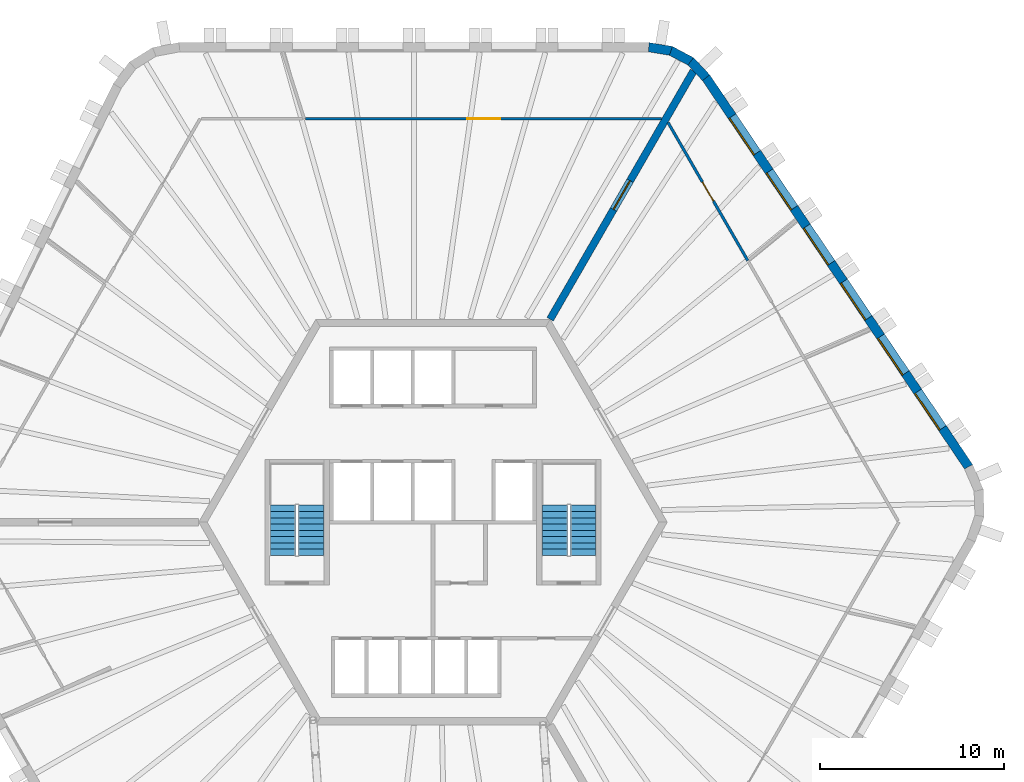
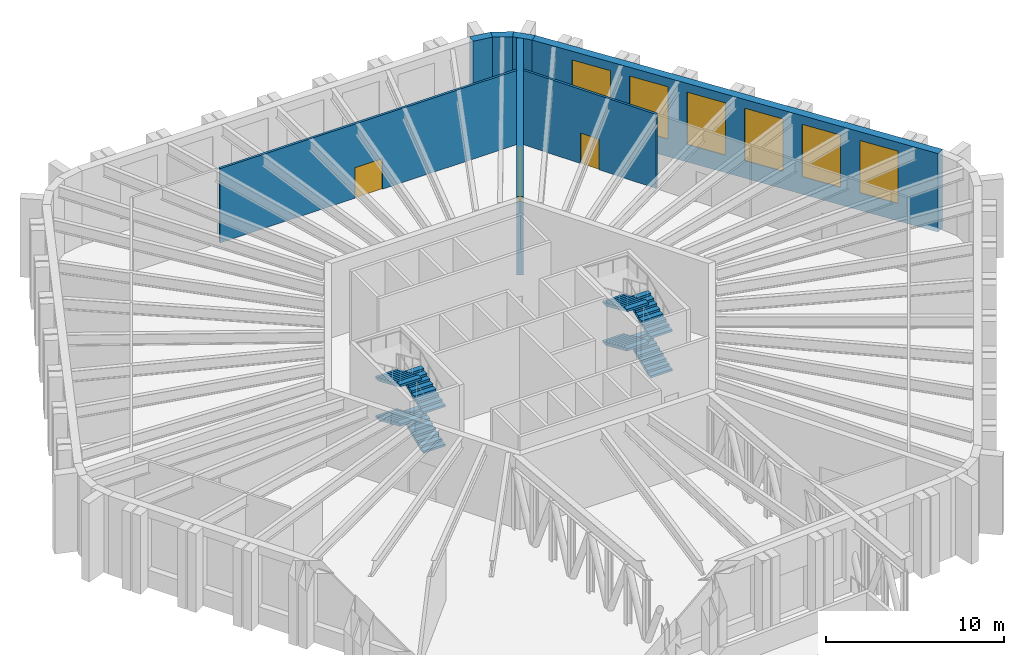
# One storey, part 7 of 9: 8 stair flights, 7 walls, 6 windows, 3 doors, 9 openings, 2 elements without a shape of their own.
"""IFC4 building model written with IfcOpenShell, lengths in metres."""

from ifc_helpers import new_model, si_unit, direction, frame, frame_2d, origin, place, context, subcontext, project, spatial, polyline, rectangle, outline, extrude, material, layer, layer_set, type_object, element, fill, aggregate, save


model = new_model("IFC4")

# Units and contexts
model_context = context("Model", 3, precision=1e-05, world=origin(), true_north=direction((0.0, 1.0)))
body_context = subcontext(model_context, "Body", "Model", "MODEL_VIEW")
ifc_project = project(units=[si_unit("LENGTHUNIT", "METRE"), si_unit("AREAUNIT", "SQUARE_METRE"), si_unit("VOLUMEUNIT", "CUBIC_METRE"), si_unit("PLANEANGLEUNIT", "RADIAN"), si_unit("MASSUNIT", "GRAM", prefix="KILO")], contexts=[model_context])

# Site, building, storey
site_placement = place(None, origin())
site = spatial("IfcSite", under=ifc_project, at=site_placement, CompositionType="ELEMENT")
building_placement = place(site_placement, origin())
building = spatial("IfcBuilding", under=site, at=building_placement, Name="Tarnside Tower", CompositionType="ELEMENT")
storey_placement = place(building_placement, frame((0.0, 0.0, 338.10009765625)))
storey = spatial("IfcBuildingStorey", under=building, at=storey_placement, Name="L82", CompositionType="ELEMENT", Elevation=338.10009765625)

# Wall, opening, door
ifc_material_1 = material(Name="Concrete C60/75", Category="concrete")
ifc_layer_1 = layer(ifc_material_1, 0.39990234375)
ifc_layer_set_1 = layer_set([ifc_layer_1], Name="Core wall Z3 400 C60/75")
wall_type_1 = type_object("IfcWallType", Name="Core wall Z3 400 C60/75", PredefinedType="SHEAR", material=ifc_layer_set_1)
wall_1_placement = place(storey_placement, frame((6.350830078125, 11.0, -0.300048828125), z_axis=(0.0, 0.0, 1.0), x_axis=(0.499998894578, 0.866026041999, 0.0)))
wall_1 = element("IfcWall", 1, at=wall_1_placement, inside=storey, type_object=wall_type_1, Name="L82 spine wall 1", PredefinedType="SHEAR", context=body_context, shape_type="SweptSolid", body=[
    extrude(rectangle(XDim=15.54443359375, YDim=0.39990234375, at=frame_2d((7.772216796875, 0.0))), origin(), (0.0, 0.0, 1.0), 5.39990234375),
])
opening_1_placement = place(wall_1_placement, frame((6.872314453125, 0.0, 0.300048828125)))
opening_1 = element("IfcOpeningElement", 2, at=opening_1_placement, cuts=wall_1, Name="Opening CD-SPN", PredefinedType="OPENING", context=body_context, shape_type="SweptSolid", body=[
    extrude(rectangle(XDim=1.800048828125, YDim=2.39990234375, at=frame_2d((0.89990234375, 1.199951171875))), frame((0.0, 0.2099609375, 0.0), z_axis=(0.0, -1.0, 0.0), x_axis=(1.0, 0.0, 0.0)), (0.0, 0.0, 1.0), 0.419921875),
])
ifc_material_2 = material(Name="Steel fire door", Category="steel")
door_type_1 = type_object("IfcDoorType", Name="Spine passage double door FD60 1800x2400", OperationType="NOTDEFINED", PredefinedType="DOOR", material=ifc_material_2)
door_1_placement = place(opening_1_placement, origin())
door_1 = element("IfcDoor", 3, at=door_1_placement, inside=storey, type_object=door_type_1, Name="L82 spine passage door 1", OperationType="DOUBLE_DOOR_SINGLE_SWING", OverallHeight=2.39990234375, OverallWidth=1.800048828125, PredefinedType="DOOR", context=body_context, shape_type="SweptSolid", body=[
    extrude(rectangle(XDim=1.800048828125, YDim=2.39990234375, at=frame_2d((0.89990234375, 1.199951171875))), frame((0.0, 0.02490234375, 0.0), z_axis=(0.0, -1.0, 0.0), x_axis=(1.0, 0.0, 0.0)), (0.0, 0.0, 1.0), 0.050048828125),
])
fill(opening_1, door_1)

ifc_material_3 = material(Name="Gypsum board")
ifc_layer_2 = layer(ifc_material_3, 0.14990234375)
ifc_layer_set_2 = layer_set([ifc_layer_2], Name="Partition 150 gypsum board on metal stud")
wall_type_2 = type_object("IfcWallType", Name="Partition 150 gypsum board on metal stud", PredefinedType="PARTITIONING", material=ifc_layer_set_2)
wall_2_placement = place(storey_placement, frame((-6.90625, 21.8701171875, 0.0), z_axis=(0.0, 0.0, 1.0), x_axis=(1.0, 0.0, 0.0)))
wall_2 = element("IfcWall", 4, at=wall_2_placement, inside=storey, type_object=wall_type_2, Name="Partition 018", PredefinedType="PARTITIONING", context=body_context, shape_type="SweptSolid", body=[
    extrude(rectangle(XDim=19.30224609375, YDim=0.14990234375, at=frame_2d((9.651123046875, 0.0))), origin(), (0.0, 0.0, 1.0), 5.099853515625),
])
opening_2_placement = place(wall_2_placement, frame((8.751220703125, 0.0, 0.0)))
opening_2 = element("IfcOpeningElement", 5, at=opening_2_placement, cuts=wall_2, Name="Opening D1800F30", PredefinedType="OPENING", context=body_context, shape_type="SweptSolid", body=[
    extrude(rectangle(XDim=1.800048828125, YDim=2.10009765625, at=frame_2d((0.89990234375, 1.050048828125))), frame((0.0, 0.0849609375, 0.0), z_axis=(0.0, -1.0, 0.0), x_axis=(1.0, 0.0, 0.0)), (0.0, 0.0, 1.0), 0.169921875),
])
ifc_material_4 = material(Name="Timber door leaf", Category="wood")
door_type_2 = type_object("IfcDoorType", Name="Door pair 1800 x 2100 FD30S fire door", OperationType="NOTDEFINED", PredefinedType="DOOR", material=ifc_material_4)
door_2_placement = place(opening_2_placement, origin())
door_2 = element("IfcDoor", 6, at=door_2_placement, inside=storey, type_object=door_type_2, Name="Door L82-08", OperationType="DOUBLE_DOOR_SINGLE_SWING", OverallHeight=2.10009765625, OverallWidth=1.800048828125, PredefinedType="DOOR", context=body_context, shape_type="SweptSolid", body=[
    extrude(rectangle(XDim=1.800048828125, YDim=2.10009765625, at=frame_2d((0.89990234375, 1.050048828125))), frame((0.0, 0.02490234375, 0.0), z_axis=(0.0, -1.0, 0.0), x_axis=(1.0, 0.0, 0.0)), (0.0, 0.0, 1.0), 0.050048828125),
])
fill(opening_2, door_2)

wall_3_placement = place(storey_placement, frame((12.741943359375, 21.669921875, 0.0), z_axis=(0.0, 0.0, 1.0), x_axis=(0.500047259291, -0.865998116901, 0.0)))
wall_3 = element("IfcWall", 7, at=wall_3_placement, inside=storey, type_object=wall_type_2, Name="Partition 020", PredefinedType="PARTITIONING", context=body_context, shape_type="SweptSolid", body=[
    extrude(rectangle(XDim=8.653564453125, YDim=0.14990234375, at=frame_2d((4.32666015625, 0.0))), origin(), (0.0, 0.0, 1.0), 5.099853515625),
])
opening_3_placement = place(wall_3_placement, frame((3.726806640625, 0.0, 0.0)))
opening_3 = element("IfcOpeningElement", 8, at=opening_3_placement, cuts=wall_3, Name="Opening D1200F30", PredefinedType="OPENING", context=body_context, shape_type="SweptSolid", body=[
    extrude(rectangle(XDim=1.199951171875, YDim=2.10009765625, at=frame_2d((0.60009765625, 1.050048828125))), frame((0.0, 0.0849609375, 0.0), z_axis=(0.0, -1.0, 0.0), x_axis=(1.0, 0.0, 0.0)), (0.0, 0.0, 1.0), 0.169921875),
])
door_type_3 = type_object("IfcDoorType", Name="Door 1200 x 2100 single leaf FD30S fire door", OperationType="NOTDEFINED", PredefinedType="DOOR", material=ifc_material_4)
door_3_placement = place(opening_3_placement, origin())
door_3 = element("IfcDoor", 9, at=door_3_placement, inside=storey, type_object=door_type_3, Name="Door L82-10", OperationType="SINGLE_SWING_LEFT", OverallHeight=2.10009765625, OverallWidth=1.199951171875, PredefinedType="DOOR", context=body_context, shape_type="SweptSolid", body=[
    extrude(rectangle(XDim=1.199951171875, YDim=2.10009765625, at=frame_2d((0.60009765625, 1.050048828125))), frame((0.0, 0.02490234375, 0.0), z_axis=(0.0, -1.0, 0.0), x_axis=(1.0, 0.0, 0.0)), (0.0, 0.0, 1.0), 0.050048828125),
])
fill(opening_3, door_3)

# Wall, openings, windows
ifc_material_5 = material(Name="Facing brick", Category="masonry")
ifc_layer_3 = layer(ifc_material_5, 0.10205078125)
ifc_material_6 = material(Name="Concrete C60/75 precast", Category="concrete")
ifc_layer_4 = layer(ifc_material_6, 0.298095703125)
ifc_material_7 = material(Name="Mineral wool insulation")
ifc_layer_5 = layer(ifc_material_7, 0.10009765625)
ifc_layer_set_3 = layer_set([ifc_layer_3, ifc_layer_4, ifc_layer_5], Name="Tube wall 500 brick faced")
wall_type_3 = type_object("IfcWallType", Name="Tube wall 500 brick faced", PredefinedType="SOLIDWALL", material=ifc_layer_set_3)
wall_4_placement = place(storey_placement, frame((29.034912109375, 3.00244140625, -0.300048828125), z_axis=(0.0, 0.0, 1.0), x_axis=(-0.559195809204, 0.829035612606, 0.0)))
wall_4 = element("IfcWall", 10, at=wall_4_placement, inside=storey, type_object=wall_type_3, Name="Tube wall L82 F6 flush 20", PredefinedType="SOLIDWALL", context=body_context, shape_type="SweptSolid", body=[
    extrude(outline(polyline([(-0.0234375, -0.25), (25.465087890625, -0.25), (25.424072265625, 0.25), (0.0234375, 0.25), (-0.0234375, -0.25)])), origin(), (0.0, 0.0, 1.0), 5.39990234375),
])
opening_4_placement = place(wall_4_placement, frame((2.5224609375, 0.0, 1.199951171875)))
opening_4 = element("IfcOpeningElement", 11, at=opening_4_placement, cuts=wall_4, Name="Opening WA", PredefinedType="OPENING", context=body_context, shape_type="SweptSolid", body=[
    extrude(rectangle(XDim=2.39990234375, YDim=3.60009765625, at=frame_2d((1.199951171875, 1.800048828125))), frame((0.0, 0.260009765625, 0.0), z_axis=(0.0, -1.0, 0.0), x_axis=(1.0, 0.0, 0.0)), (0.0, 0.0, 1.0), 0.52001953125),
])
opening_5_placement = place(wall_4_placement, frame((6.122314453125, 0.0, 1.199951171875)))
opening_5 = element("IfcOpeningElement", 12, at=opening_5_placement, cuts=wall_4, Name="Opening WA", PredefinedType="OPENING", context=body_context, shape_type="SweptSolid", body=[
    extrude(rectangle(XDim=2.39990234375, YDim=3.60009765625, at=frame_2d((1.199951171875, 1.800048828125))), frame((0.0, 0.260009765625, 0.0), z_axis=(0.0, -1.0, 0.0), x_axis=(1.0, 0.0, 0.0)), (0.0, 0.0, 1.0), 0.52001953125),
])
opening_6_placement = place(wall_4_placement, frame((9.722412109375, 0.0, 1.199951171875)))
opening_6 = element("IfcOpeningElement", 13, at=opening_6_placement, cuts=wall_4, Name="Opening WA", PredefinedType="OPENING", context=body_context, shape_type="SweptSolid", body=[
    extrude(rectangle(XDim=2.39990234375, YDim=3.60009765625, at=frame_2d((1.199951171875, 1.800048828125))), frame((0.0, 0.260009765625, 0.0), z_axis=(0.0, -1.0, 0.0), x_axis=(1.0, 0.0, 0.0)), (0.0, 0.0, 1.0), 0.52001953125),
])
opening_7_placement = place(wall_4_placement, frame((13.322509765625, 0.0, 1.199951171875)))
opening_7 = element("IfcOpeningElement", 14, at=opening_7_placement, cuts=wall_4, Name="Opening WA", PredefinedType="OPENING", context=body_context, shape_type="SweptSolid", body=[
    extrude(rectangle(XDim=2.39990234375, YDim=3.60009765625, at=frame_2d((1.199951171875, 1.800048828125))), frame((0.0, 0.260009765625, 0.0), z_axis=(0.0, -1.0, 0.0), x_axis=(1.0, 0.0, 0.0)), (0.0, 0.0, 1.0), 0.52001953125),
])
opening_8_placement = place(wall_4_placement, frame((16.92236328125, 0.0, 1.199951171875)))
opening_8 = element("IfcOpeningElement", 15, at=opening_8_placement, cuts=wall_4, Name="Opening WA", PredefinedType="OPENING", context=body_context, shape_type="SweptSolid", body=[
    extrude(rectangle(XDim=2.39990234375, YDim=3.60009765625, at=frame_2d((1.199951171875, 1.800048828125))), frame((0.0, 0.260009765625, 0.0), z_axis=(0.0, -1.0, 0.0), x_axis=(1.0, 0.0, 0.0)), (0.0, 0.0, 1.0), 0.52001953125),
])
opening_9_placement = place(wall_4_placement, frame((20.5224609375, 0.0, 1.199951171875)))
opening_9 = element("IfcOpeningElement", 16, at=opening_9_placement, cuts=wall_4, Name="Opening WA", PredefinedType="OPENING", context=body_context, shape_type="SweptSolid", body=[
    extrude(rectangle(XDim=2.39990234375, YDim=3.60009765625, at=frame_2d((1.199951171875, 1.800048828125))), frame((0.0, 0.260009765625, 0.0), z_axis=(0.0, -1.0, 0.0), x_axis=(1.0, 0.0, 0.0)), (0.0, 0.0, 1.0), 0.52001953125),
])
ifc_material_8 = material(Name="Aluminium-framed double glazing", Category="aluminium")
window_type = type_object("IfcWindowType", Name="Amenity window 2400 x 3600", PartitioningType="DOUBLE_PANEL_VERTICAL", PredefinedType="WINDOW", material=ifc_material_8)
window_1_placement = place(opening_4_placement, frame((0.0, 0.179931640625, 0.0)))
window_1 = element("IfcWindow", 17, at=window_1_placement, inside=storey, type_object=window_type, Name="E.WN.L82.F6.00", OverallHeight=3.60009765625, OverallWidth=2.39990234375, PartitioningType="DOUBLE_PANEL_VERTICAL", PredefinedType="WINDOW", context=body_context, shape_type="SweptSolid", body=[
    extrude(rectangle(XDim=2.39990234375, YDim=3.60009765625, at=frame_2d((1.199951171875, 1.800048828125))), frame((0.0, 0.030029296875, 0.0), z_axis=(0.0, -1.0, 0.0), x_axis=(1.0, 0.0, 0.0)), (0.0, 0.0, 1.0), 0.06005859375),
])
fill(opening_4, window_1)
window_2_placement = place(opening_5_placement, frame((0.0, 0.179931640625, 0.0)))
window_2 = element("IfcWindow", 18, at=window_2_placement, inside=storey, type_object=window_type, Name="E.WN.L82.F6.01", OverallHeight=3.60009765625, OverallWidth=2.39990234375, PartitioningType="DOUBLE_PANEL_VERTICAL", PredefinedType="WINDOW", context=body_context, shape_type="SweptSolid", body=[
    extrude(rectangle(XDim=2.39990234375, YDim=3.60009765625, at=frame_2d((1.199951171875, 1.800048828125))), frame((0.0, 0.030029296875, 0.0), z_axis=(0.0, -1.0, 0.0), x_axis=(1.0, 0.0, 0.0)), (0.0, 0.0, 1.0), 0.06005859375),
])
fill(opening_5, window_2)
window_3_placement = place(opening_6_placement, frame((0.0, 0.179931640625, 0.0)))
window_3 = element("IfcWindow", 19, at=window_3_placement, inside=storey, type_object=window_type, Name="E.WN.L82.F6.02", OverallHeight=3.60009765625, OverallWidth=2.39990234375, PartitioningType="DOUBLE_PANEL_VERTICAL", PredefinedType="WINDOW", context=body_context, shape_type="SweptSolid", body=[
    extrude(rectangle(XDim=2.39990234375, YDim=3.60009765625, at=frame_2d((1.199951171875, 1.800048828125))), frame((0.0, 0.030029296875, 0.0), z_axis=(0.0, -1.0, 0.0), x_axis=(1.0, 0.0, 0.0)), (0.0, 0.0, 1.0), 0.06005859375),
])
fill(opening_6, window_3)
window_4_placement = place(opening_7_placement, frame((0.0, 0.179931640625, 0.0)))
window_4 = element("IfcWindow", 20, at=window_4_placement, inside=storey, type_object=window_type, Name="E.WN.L82.F6.03", OverallHeight=3.60009765625, OverallWidth=2.39990234375, PartitioningType="DOUBLE_PANEL_VERTICAL", PredefinedType="WINDOW", context=body_context, shape_type="SweptSolid", body=[
    extrude(rectangle(XDim=2.39990234375, YDim=3.60009765625, at=frame_2d((1.199951171875, 1.800048828125))), frame((0.0, 0.030029296875, 0.0), z_axis=(0.0, -1.0, 0.0), x_axis=(1.0, 0.0, 0.0)), (0.0, 0.0, 1.0), 0.06005859375),
])
fill(opening_7, window_4)
window_5_placement = place(opening_8_placement, frame((0.0, 0.179931640625, 0.0)))
window_5 = element("IfcWindow", 21, at=window_5_placement, inside=storey, type_object=window_type, Name="E.WN.L82.F6.04", OverallHeight=3.60009765625, OverallWidth=2.39990234375, PartitioningType="DOUBLE_PANEL_VERTICAL", PredefinedType="WINDOW", context=body_context, shape_type="SweptSolid", body=[
    extrude(rectangle(XDim=2.39990234375, YDim=3.60009765625, at=frame_2d((1.199951171875, 1.800048828125))), frame((0.0, 0.030029296875, 0.0), z_axis=(0.0, -1.0, 0.0), x_axis=(1.0, 0.0, 0.0)), (0.0, 0.0, 1.0), 0.06005859375),
])
fill(opening_8, window_5)
window_6_placement = place(opening_9_placement, frame((0.0, 0.179931640625, 0.0)))
window_6 = element("IfcWindow", 22, at=window_6_placement, inside=storey, type_object=window_type, Name="E.WN.L82.F6.05", OverallHeight=3.60009765625, OverallWidth=2.39990234375, PartitioningType="DOUBLE_PANEL_VERTICAL", PredefinedType="WINDOW", context=body_context, shape_type="SweptSolid", body=[
    extrude(rectangle(XDim=2.39990234375, YDim=3.60009765625, at=frame_2d((1.199951171875, 1.800048828125))), frame((0.0, 0.030029296875, 0.0), z_axis=(0.0, -1.0, 0.0), x_axis=(1.0, 0.0, 0.0)), (0.0, 0.0, 1.0), 0.06005859375),
])
fill(opening_9, window_6)

# Walls
wall_5_placement = place(storey_placement, frame((14.806396484375, 24.096923828125, -0.300048828125), z_axis=(0.0, 0.0, 1.0), x_axis=(-0.686234452793, 0.727380420275, 0.0)))
element("IfcWall", 23, at=wall_5_placement, inside=storey, type_object=wall_type_3, Name="Tube wall L82 F6 chord 21", PredefinedType="SOLIDWALL", context=body_context, shape_type="SweptSolid", body=[
    extrude(outline(polyline([(-0.0205078125, -0.25), (1.25732421875, -0.25), (1.17529296875, 0.25), (0.0205078125, 0.25), (-0.0205078125, -0.25)])), origin(), (0.0, 0.0, 1.0), 5.39990234375),
])
wall_6_placement = place(storey_placement, frame((13.9716796875, 24.981689453125, -0.300048828125), z_axis=(0.0, 0.0, 1.0), x_axis=(-0.882902492938, 0.469556373575, 0.0)))
element("IfcWall", 24, at=wall_6_placement, inside=storey, type_object=wall_type_3, Name="Tube wall L82 F6 chord 22", PredefinedType="SOLIDWALL", context=body_context, shape_type="SweptSolid", body=[
    extrude(outline(polyline([(-0.041015625, -0.25), (1.257080078125, -0.25), (1.175048828125, 0.25), (0.041015625, 0.25), (-0.041015625, -0.25)])), origin(), (0.0, 0.0, 1.0), 5.39990234375),
])
wall_7_placement = place(storey_placement, frame((12.89794921875, 25.552734375, -0.300048828125), z_axis=(0.0, 0.0, 1.0), x_axis=(-0.986765617372, 0.16215306464, 0.0)))
element("IfcWall", 25, at=wall_7_placement, inside=storey, type_object=wall_type_3, Name="Tube wall L82 F6 chord 23", PredefinedType="SOLIDWALL", context=body_context, shape_type="SweptSolid", body=[
    extrude(outline(polyline([(-0.041015625, -0.25), (1.237060546875, -0.25), (1.196044921875, 0.25), (0.041015625, 0.25), (-0.041015625, -0.25)])), origin(), (0.0, 0.0, 1.0), 5.39990234375),
])

# Stair, stair flights
ifc_material_9 = material(Name="Concrete C40/50", Category="concrete")
stair_type = type_object("IfcStairType", Name="Exit stair 1400 clear", PredefinedType="HALF_TURN_STAIR", material=ifc_material_9)
stair_1_placement = place(storey_placement, origin())
stair_1 = element("IfcStair", 26, at=stair_1_placement, inside=storey, type_object=stair_type, Name="L82 Exit stair 1", PredefinedType="HALF_TURN_STAIR")
stair_flight_type = type_object("IfcStairFlightType", Name="Exit stair flight 1400", PredefinedType="STRAIGHT", material=ifc_material_9)
stair_flight_1_placement = place(storey_placement, frame((8.14990234375, -1.800048828125, 0.0), z_axis=(0.0, 0.0, 1.0), x_axis=(0.0, 1.0, 0.0)))
stair_flight_1 = element("IfcStairFlight", 27, at=stair_flight_1_placement, type_object=stair_flight_type, Name="ST1 flight 1", NumberOfRisers=9, NumberOfTreads=8, PredefinedType="STRAIGHT", RiserHeight=0.15, TreadLength=0.34, context=body_context, shape_type="SweptSolid", body=[
    extrude(outline(polyline([(0.0, 0.0), (0.0, 0.14990234375), (0.340087890625, 0.14990234375), (0.340087890625, 0.300048828125), (0.679931640625, 0.300048828125), (0.679931640625, 0.449951171875), (1.02001953125, 0.449951171875), (1.02001953125, 0.60009765625), (1.360107421875, 0.60009765625), (1.360107421875, 0.75), (1.699951171875, 0.75), (1.699951171875, 0.89990234375), (2.0400390625, 0.89990234375), (2.0400390625, 1.050048828125), (2.3798828125, 1.050048828125), (2.3798828125, 1.199951171875), (2.719970703125, 1.199951171875), (2.719970703125, 1.35009765625), (2.719970703125, 1.0361328125), (0.371337890625, 0.0), (0.0, 0.0)])), frame((0.0, 0.699951171875, 0.0), z_axis=(0.0, -1.0, 0.0), x_axis=(1.0, 0.0, 0.0)), (0.0, 0.0, 1.0), 1.39990234375),
])
stair_flight_2_placement = place(storey_placement, frame((6.60009765625, 0.919921875, 1.349853515625), z_axis=(0.0, 0.0, 1.0), x_axis=(0.0, -1.0, 0.0)))
stair_flight_2 = element("IfcStairFlight", 28, at=stair_flight_2_placement, type_object=stair_flight_type, Name="ST1 flight 2", NumberOfRisers=9, NumberOfTreads=8, PredefinedType="STRAIGHT", RiserHeight=0.15, TreadLength=0.34, context=body_context, shape_type="SweptSolid", body=[
    extrude(outline(polyline([(0.0, 0.0), (0.0, 0.14990234375), (0.340087890625, 0.14990234375), (0.340087890625, 0.300048828125), (0.679931640625, 0.300048828125), (0.679931640625, 0.449951171875), (1.02001953125, 0.449951171875), (1.02001953125, 0.60009765625), (1.360107421875, 0.60009765625), (1.360107421875, 0.75), (1.699951171875, 0.75), (1.699951171875, 0.89990234375), (2.0400390625, 0.89990234375), (2.0400390625, 1.050048828125), (2.3798828125, 1.050048828125), (2.3798828125, 1.199951171875), (2.719970703125, 1.199951171875), (2.719970703125, 1.35009765625), (2.719970703125, 1.0361328125), (0.371337890625, 0.0), (0.0, 0.0)])), frame((0.0, 0.699951171875, 0.0), z_axis=(0.0, -1.0, 0.0), x_axis=(1.0, 0.0, 0.0)), (0.0, 0.0, 1.0), 1.39990234375),
])
stair_flight_3_placement = place(storey_placement, frame((8.14990234375, -1.800048828125, 2.699951171875), z_axis=(0.0, 0.0, 1.0), x_axis=(0.0, 1.0, 0.0)))
stair_flight_3 = element("IfcStairFlight", 29, at=stair_flight_3_placement, type_object=stair_flight_type, Name="ST1 flight 3", NumberOfRisers=9, NumberOfTreads=8, PredefinedType="STRAIGHT", RiserHeight=0.15, TreadLength=0.34, context=body_context, shape_type="SweptSolid", body=[
    extrude(outline(polyline([(0.0, 0.0), (0.0, 0.14990234375), (0.340087890625, 0.14990234375), (0.340087890625, 0.300048828125), (0.679931640625, 0.300048828125), (0.679931640625, 0.449951171875), (1.02001953125, 0.449951171875), (1.02001953125, 0.60009765625), (1.360107421875, 0.60009765625), (1.360107421875, 0.75), (1.699951171875, 0.75), (1.699951171875, 0.89990234375), (2.0400390625, 0.89990234375), (2.0400390625, 1.050048828125), (2.3798828125, 1.050048828125), (2.3798828125, 1.199951171875), (2.719970703125, 1.199951171875), (2.719970703125, 1.35009765625), (2.719970703125, 1.0361328125), (0.371337890625, 0.0), (0.0, 0.0)])), frame((0.0, 0.699951171875, 0.0), z_axis=(0.0, -1.0, 0.0), x_axis=(1.0, 0.0, 0.0)), (0.0, 0.0, 1.0), 1.39990234375),
])
stair_flight_4_placement = place(storey_placement, frame((6.60009765625, 0.919921875, 4.0498046875), z_axis=(0.0, 0.0, 1.0), x_axis=(0.0, -1.0, 0.0)))
stair_flight_4 = element("IfcStairFlight", 30, at=stair_flight_4_placement, type_object=stair_flight_type, Name="ST1 flight 4", NumberOfRisers=9, NumberOfTreads=8, PredefinedType="STRAIGHT", RiserHeight=0.15, TreadLength=0.34, context=body_context, shape_type="SweptSolid", body=[
    extrude(outline(polyline([(0.0, 0.0), (0.0, 0.14990234375), (0.340087890625, 0.14990234375), (0.340087890625, 0.300048828125), (0.679931640625, 0.300048828125), (0.679931640625, 0.449951171875), (1.02001953125, 0.449951171875), (1.02001953125, 0.60009765625), (1.360107421875, 0.60009765625), (1.360107421875, 0.75), (1.699951171875, 0.75), (1.699951171875, 0.89990234375), (2.0400390625, 0.89990234375), (2.0400390625, 1.050048828125), (2.3798828125, 1.050048828125), (2.3798828125, 1.199951171875), (2.719970703125, 1.199951171875), (2.719970703125, 1.35009765625), (2.719970703125, 1.0361328125), (0.371337890625, 0.0), (0.0, 0.0)])), frame((0.0, 0.699951171875, 0.0), z_axis=(0.0, -1.0, 0.0), x_axis=(1.0, 0.0, 0.0)), (0.0, 0.0, 1.0), 1.39990234375),
])
aggregate(stair_1, [stair_flight_1, stair_flight_2, stair_flight_3, stair_flight_4])

stair_2_placement = place(storey_placement, origin())
stair_2 = element("IfcStair", 31, at=stair_2_placement, inside=storey, type_object=stair_type, Name="L82 Exit stair 2", PredefinedType="HALF_TURN_STAIR")
stair_flight_5_placement = place(storey_placement, frame((-6.60009765625, -1.800048828125, 0.0), z_axis=(0.0, 0.0, 1.0), x_axis=(0.0, 1.0, 0.0)))
stair_flight_5 = element("IfcStairFlight", 32, at=stair_flight_5_placement, type_object=stair_flight_type, Name="ST2 flight 1", NumberOfRisers=9, NumberOfTreads=8, PredefinedType="STRAIGHT", RiserHeight=0.15, TreadLength=0.34, context=body_context, shape_type="SweptSolid", body=[
    extrude(outline(polyline([(0.0, 0.0), (0.0, 0.14990234375), (0.340087890625, 0.14990234375), (0.340087890625, 0.300048828125), (0.679931640625, 0.300048828125), (0.679931640625, 0.449951171875), (1.02001953125, 0.449951171875), (1.02001953125, 0.60009765625), (1.360107421875, 0.60009765625), (1.360107421875, 0.75), (1.699951171875, 0.75), (1.699951171875, 0.89990234375), (2.0400390625, 0.89990234375), (2.0400390625, 1.050048828125), (2.3798828125, 1.050048828125), (2.3798828125, 1.199951171875), (2.719970703125, 1.199951171875), (2.719970703125, 1.35009765625), (2.719970703125, 1.0361328125), (0.371337890625, 0.0), (0.0, 0.0)])), frame((0.0, 0.699951171875, 0.0), z_axis=(0.0, -1.0, 0.0), x_axis=(1.0, 0.0, 0.0)), (0.0, 0.0, 1.0), 1.39990234375),
])
stair_flight_6_placement = place(storey_placement, frame((-8.14990234375, 0.919921875, 1.349853515625), z_axis=(0.0, 0.0, 1.0), x_axis=(0.0, -1.0, 0.0)))
stair_flight_6 = element("IfcStairFlight", 33, at=stair_flight_6_placement, type_object=stair_flight_type, Name="ST2 flight 2", NumberOfRisers=9, NumberOfTreads=8, PredefinedType="STRAIGHT", RiserHeight=0.15, TreadLength=0.34, context=body_context, shape_type="SweptSolid", body=[
    extrude(outline(polyline([(0.0, 0.0), (0.0, 0.14990234375), (0.340087890625, 0.14990234375), (0.340087890625, 0.300048828125), (0.679931640625, 0.300048828125), (0.679931640625, 0.449951171875), (1.02001953125, 0.449951171875), (1.02001953125, 0.60009765625), (1.360107421875, 0.60009765625), (1.360107421875, 0.75), (1.699951171875, 0.75), (1.699951171875, 0.89990234375), (2.0400390625, 0.89990234375), (2.0400390625, 1.050048828125), (2.3798828125, 1.050048828125), (2.3798828125, 1.199951171875), (2.719970703125, 1.199951171875), (2.719970703125, 1.35009765625), (2.719970703125, 1.0361328125), (0.371337890625, 0.0), (0.0, 0.0)])), frame((0.0, 0.699951171875, 0.0), z_axis=(0.0, -1.0, 0.0), x_axis=(1.0, 0.0, 0.0)), (0.0, 0.0, 1.0), 1.39990234375),
])
stair_flight_7_placement = place(storey_placement, frame((-6.60009765625, -1.800048828125, 2.699951171875), z_axis=(0.0, 0.0, 1.0), x_axis=(0.0, 1.0, 0.0)))
stair_flight_7 = element("IfcStairFlight", 34, at=stair_flight_7_placement, type_object=stair_flight_type, Name="ST2 flight 3", NumberOfRisers=9, NumberOfTreads=8, PredefinedType="STRAIGHT", RiserHeight=0.15, TreadLength=0.34, context=body_context, shape_type="SweptSolid", body=[
    extrude(outline(polyline([(0.0, 0.0), (0.0, 0.14990234375), (0.340087890625, 0.14990234375), (0.340087890625, 0.300048828125), (0.679931640625, 0.300048828125), (0.679931640625, 0.449951171875), (1.02001953125, 0.449951171875), (1.02001953125, 0.60009765625), (1.360107421875, 0.60009765625), (1.360107421875, 0.75), (1.699951171875, 0.75), (1.699951171875, 0.89990234375), (2.0400390625, 0.89990234375), (2.0400390625, 1.050048828125), (2.3798828125, 1.050048828125), (2.3798828125, 1.199951171875), (2.719970703125, 1.199951171875), (2.719970703125, 1.35009765625), (2.719970703125, 1.0361328125), (0.371337890625, 0.0), (0.0, 0.0)])), frame((0.0, 0.699951171875, 0.0), z_axis=(0.0, -1.0, 0.0), x_axis=(1.0, 0.0, 0.0)), (0.0, 0.0, 1.0), 1.39990234375),
])
stair_flight_8_placement = place(storey_placement, frame((-8.14990234375, 0.919921875, 4.0498046875), z_axis=(0.0, 0.0, 1.0), x_axis=(0.0, -1.0, 0.0)))
stair_flight_8 = element("IfcStairFlight", 35, at=stair_flight_8_placement, type_object=stair_flight_type, Name="ST2 flight 4", NumberOfRisers=9, NumberOfTreads=8, PredefinedType="STRAIGHT", RiserHeight=0.15, TreadLength=0.34, context=body_context, shape_type="SweptSolid", body=[
    extrude(outline(polyline([(0.0, 0.0), (0.0, 0.14990234375), (0.340087890625, 0.14990234375), (0.340087890625, 0.300048828125), (0.679931640625, 0.300048828125), (0.679931640625, 0.449951171875), (1.02001953125, 0.449951171875), (1.02001953125, 0.60009765625), (1.360107421875, 0.60009765625), (1.360107421875, 0.75), (1.699951171875, 0.75), (1.699951171875, 0.89990234375), (2.0400390625, 0.89990234375), (2.0400390625, 1.050048828125), (2.3798828125, 1.050048828125), (2.3798828125, 1.199951171875), (2.719970703125, 1.199951171875), (2.719970703125, 1.35009765625), (2.719970703125, 1.0361328125), (0.371337890625, 0.0), (0.0, 0.0)])), frame((0.0, 0.699951171875, 0.0), z_axis=(0.0, -1.0, 0.0), x_axis=(1.0, 0.0, 0.0)), (0.0, 0.0, 1.0), 1.39990234375),
])
aggregate(stair_2, [stair_flight_5, stair_flight_6, stair_flight_7, stair_flight_8])

save(model, "model.ifc")
